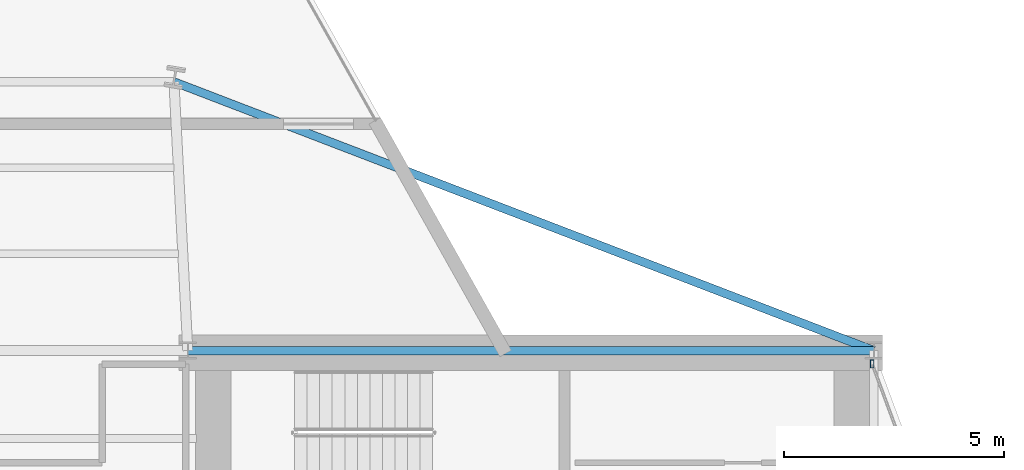
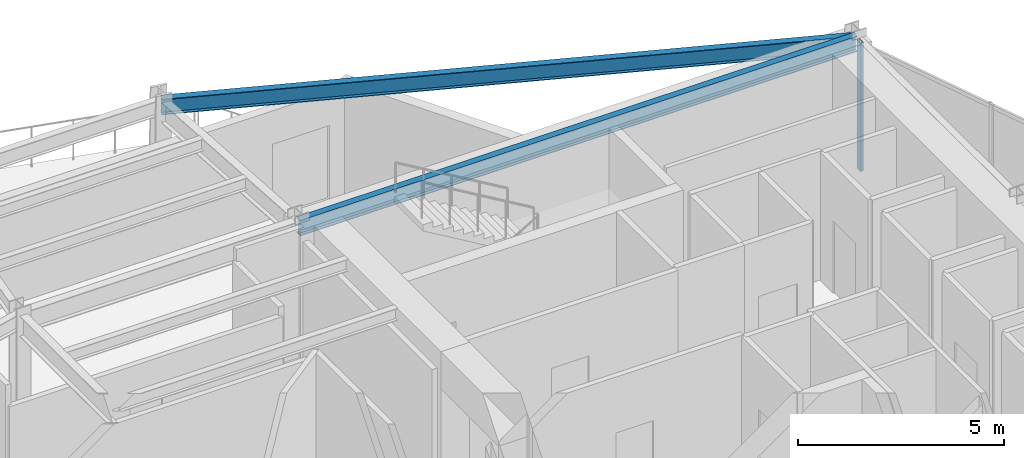
# One storey, part 16 of 23: 2 beams, 1 member, 1 element without a shape of its own.
"""IFC4 building model written with IfcOpenShell, lengths in metres."""

from ifc_helpers import new_model, si_unit, direction, frame, origin, origin_2d, place, context, subcontext, project, spatial, hollow_rectangle, i_section, extrude, material, layer, layer_set, material_profile, profile_set, type_object, element, aggregate, save


model = new_model("IFC4")

# Units and contexts
model_context = context("Model", 3, precision=1e-05, world=origin(), true_north=direction((0.0, 1.0)))
body_context = subcontext(model_context, "Body", "Model", "MODEL_VIEW")
ifc_project = project(units=[si_unit("LENGTHUNIT", "METRE"), si_unit("AREAUNIT", "SQUARE_METRE"), si_unit("VOLUMEUNIT", "CUBIC_METRE"), si_unit("PLANEANGLEUNIT", "RADIAN"), si_unit("MASSUNIT", "GRAM", prefix="KILO")], contexts=[model_context])

# Site, building, storey
site_placement = place(None, origin())
site = spatial("IfcSite", under=ifc_project, at=site_placement, CompositionType="ELEMENT")
building_placement = place(site_placement, origin())
building = spatial("IfcBuilding", under=site, at=building_placement, Name="Veymaron Broadcast Tower", CompositionType="ELEMENT")
storey_placement = place(building_placement, frame((0.0, 0.0, 165.449951171875)))
storey = spatial("IfcBuildingStorey", under=building, at=storey_placement, Name="L38", CompositionType="ELEMENT", Elevation=165.449951171875)

# Beams
ifc_material_1 = material(Name="Structural steel ASTM A992 Gr 50", Category="steel")
ifc_material_profile_1 = material_profile(ifc_material_1, i_section(OverallWidth=0.19091796875, OverallDepth=0.4599609375, WebThickness=0.010009765625, FlangeThickness=0.01611328125, at=origin_2d()), Name="W460X82")
ifc_profile_set_1 = profile_set([ifc_material_profile_1], Name="Structural steel ASTM A992 Gr 50")
beam_type = type_object("IfcBeamType", Name="BM-SP1", PredefinedType="SPANDREL", material=ifc_profile_set_1)
beam_1_placement = place(storey_placement, frame((39.0, 32.0, 3.580078125), z_axis=(1.0, 0.0, 0.0), x_axis=(0.0, 1.0, 0.0)))
element("IfcBeam", 1, at=beam_1_placement, inside=storey, type_object=beam_type, Name="L38 primary structural floor girder", PredefinedType="SPANDREL", context=body_context, shape_type="SweptSolid", body=[
    extrude(i_section(OverallWidth=0.19091796875, OverallDepth=0.4599609375, WebThickness=0.010009765625, FlangeThickness=0.01611328125, at=origin_2d()), origin(), (0.0, 0.0, 1.0), 15.60009765625),
])
beam_2_placement = place(storey_placement, frame((54.60009765625, 32.0, 3.580078125), z_axis=(-0.93356283501, 0.358413773575, 0.0), x_axis=(-0.358413773575, -0.93356283501, 0.0)))
element("IfcBeam", 2, at=beam_2_placement, inside=storey, type_object=beam_type, Name="L38 primary structural floor girder", PredefinedType="SPANDREL", context=body_context, shape_type="SweptSolid", body=[
    extrude(i_section(OverallWidth=0.19091796875, OverallDepth=0.4599609375, WebThickness=0.010009765625, FlangeThickness=0.01611328125, at=origin_2d()), origin(), (0.0, 0.0, 1.0), 17.047607421875),
])

# Curtain wall, member
ifc_material_2 = material(Name="Anodised aluminium AA 6063-T6 and laminated low-E dark glass", Category="aluminium")
ifc_layer = layer(ifc_material_2, 0.179931640625)
ifc_layer_set = layer_set([ifc_layer], Name="Anodised aluminium AA 6063-T6 and laminated low-E dark glass")
curtain_wall_type = type_object("IfcCurtainWallType", Name="CW-SYS-03", PredefinedType="NOTDEFINED", material=ifc_layer_set)
curtain_wall_placement = place(storey_placement, origin())
curtain_wall = element("IfcCurtainWall", 3, at=curtain_wall_placement, inside=storey, type_object=curtain_wall_type, Name="L38 dark-glass curtain wall CW-L38-E4-1", PredefinedType="NOTDEFINED")
ifc_material_3 = material(Name="Anodised aluminium AA 6063-T6", Category="aluminium")
ifc_material_profile_2 = material_profile(ifc_material_3, hollow_rectangle(XDim=0.074951171875, YDim=0.179931640625, WallThickness=0.0048828125, at=origin_2d()), Name="AL180X75X5")
ifc_profile_set_2 = profile_set([ifc_material_profile_2], Name="Anodised aluminium AA 6063-T6")
member_type = type_object("IfcMemberType", Name="CW-MUL-02", PredefinedType="MULLION", material=ifc_profile_set_2)
member_placement = place(storey_placement, frame((54.56201171875, 31.69970703125, 0.0), z_axis=(0.0, 0.0, 1.0), x_axis=(1.0, 0.0, 0.0)))
member = element("IfcMember", 4, at=member_placement, type_object=member_type, Name="CW-L38-E4-1 mullion 2", PredefinedType="MULLION", context=body_context, shape_type="SweptSolid", body=[
    extrude(hollow_rectangle(XDim=0.074951171875, YDim=0.179931640625, WallThickness=0.0048828125, at=origin_2d()), origin(), (0.0, 0.0, 1.0), 3.81005859375),
])
aggregate(curtain_wall, [member])

save(model, "model.ifc")
